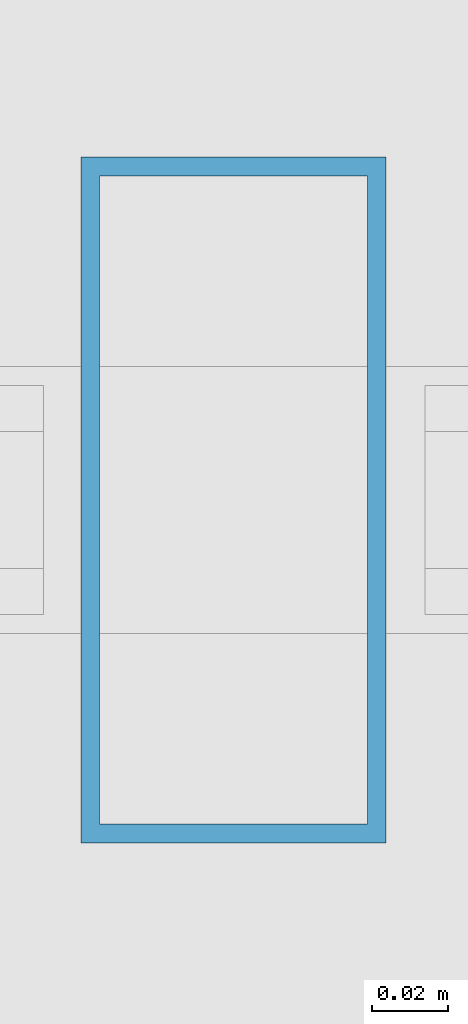
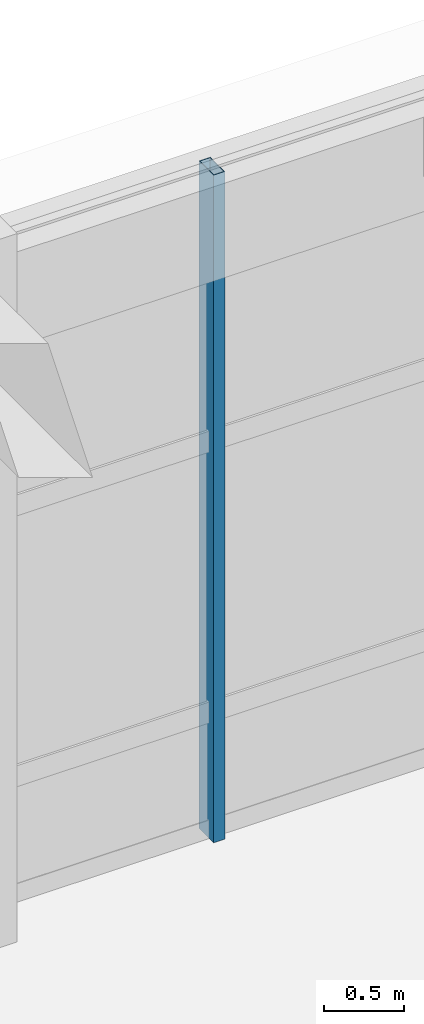
# One storey, part 91 of 160: 1 member, 1 element without a shape of its own.
"""IFC4 building model written with IfcOpenShell, lengths in metres."""

import ifcopenshell
import ifcopenshell.guid

model = None  # the IFC model being written
_history = None  # IfcOwnerHistory: only IFC2X3 demands one
_inside = {}  # id of a spatial element -> (the spatial element, [elements in it])
_under = {}  # id of a project, library or spatial element -> (it, [spatial elements below it])
_declared = {}  # id of a project -> (the project, [libraries it declares])
_typed = {}  # id of a type object -> (the type object, [elements of that type])
_made_of = {}  # id of a material, layer set ... -> (it, [elements and type objects made of it])


def new_model(schema):
    """Start an empty IFC model of exactly this schema.

    Asked for "IFC4X3", IfcOpenShell would pick the latest addendum, in which some entities
    have other attributes; the version numbers below select the first issue.
    IFC2X3 requires an IfcOwnerHistory on every rooted entity: one is made here for all.
    """
    global model, _history
    if schema == "IFC4X3":
        model = ifcopenshell.file(schema_version=(4, 3, 0, 0))
    else:
        model = ifcopenshell.file(schema=schema)
    _inside.clear()
    _under.clear()
    _declared.clear()
    _typed.clear()
    _made_of.clear()
    _history = None
    if model.schema == "IFC2X3":
        org = make("IfcOrganization", Name="unknown")
        user = make(
            "IfcPersonAndOrganization",
            ThePerson=make("IfcPerson", FamilyName="unknown"),
            TheOrganization=org,
        )
        app = make(
            "IfcApplication",
            ApplicationDeveloper=org,
            Version="unknown",
            ApplicationFullName="unknown",
            ApplicationIdentifier="unknown",
        )
        _history = make(
            "IfcOwnerHistory",
            OwningUser=user,
            OwningApplication=app,
            ChangeAction="ADDED",
            CreationDate=0,
        )
    return model


def make(cls, **values):
    """One entity of the class cls with the attributes given. An attribute that is None is left unset."""
    return model.create_entity(
        cls, **{name: value for name, value in values.items() if value is not None}
    )


def rooted(cls, **values):
    """An entity with a GlobalId (a new one), such as an element, a storey or a relation."""
    return make(cls, GlobalId=ifcopenshell.guid.new(), OwnerHistory=_history, **values)


def si_unit(unit_type, name, prefix=None):
    """IfcSIUnit, for example si_unit("LENGTHUNIT", "METRE", prefix="MILLI")."""
    return make("IfcSIUnit", UnitType=unit_type, Prefix=prefix, Name=name)


def assignment(units):
    """IfcUnitAssignment: the units of a project."""
    return None if units is None else make("IfcUnitAssignment", Units=units)


def point(xyz):
    """IfcCartesianPoint."""
    return None if xyz is None else make("IfcCartesianPoint", Coordinates=xyz)


def direction(xyz):
    """IfcDirection."""
    return None if xyz is None else make("IfcDirection", DirectionRatios=xyz)


def frame(location, z_axis=None, x_axis=None):
    """IfcAxis2Placement3D, a coordinate frame: its origin and axes. An axis left out is left unset."""
    return make(
        "IfcAxis2Placement3D",
        Location=point(location),
        Axis=direction(z_axis),
        RefDirection=direction(x_axis),
    )


def frame_2d(location, x_axis=None):
    """IfcAxis2Placement2D, a coordinate frame in the plane: its origin and x axis."""
    return make(
        "IfcAxis2Placement2D", Location=point(location), RefDirection=direction(x_axis)
    )


def origin():
    """The frame at (0, 0, 0) with its axes left unset."""
    return frame((0.0, 0.0, 0.0))


def origin_2d():
    """The frame at (0, 0) in the plane with its x axis left unset."""
    return frame_2d((0.0, 0.0))


def place(relative_to, where):
    """IfcLocalPlacement: puts the frame where relative to a parent placement (None: the world)."""
    return make(
        "IfcLocalPlacement", PlacementRelTo=relative_to, RelativePlacement=where
    )


def context(
    kind, dimensions, precision=None, world=None, true_north=None, identifier=None
):
    """IfcGeometricRepresentationContext, for example the 3D "Model" context."""
    return make(
        "IfcGeometricRepresentationContext",
        ContextIdentifier=identifier,
        ContextType=kind,
        CoordinateSpaceDimension=dimensions,
        Precision=precision,
        WorldCoordinateSystem=world,
        TrueNorth=true_north,
    )


def subcontext(parent, identifier, kind, view, scale=None):
    """IfcGeometricRepresentationSubContext, for example "Body" below "Model"."""
    return make(
        "IfcGeometricRepresentationSubContext",
        ContextIdentifier=identifier,
        ContextType=kind,
        ParentContext=parent,
        TargetScale=scale,
        TargetView=view,
    )


def project(units=None, contexts=None):
    """IfcProject with its units and contexts."""
    return rooted(
        "IfcProject",
        Name="project",
        RepresentationContexts=contexts,
        UnitsInContext=assignment(units),
    )


def spatial(cls, under=None, at=None, **own):
    """A site, building, storey or space (cls), placed at a placement, below another one or the project."""
    s = rooted(cls, ObjectPlacement=at, **own)
    if under is not None:
        _under.setdefault(under.id(), (under, []))[1].append(s)
    return s


def profile(cls, at=None, kind="AREA", **sizes):
    """A parametric profile (cls). Its sizes go by their IFC names, for example OverallWidth=200.0."""
    return make(cls, ProfileType=kind, Position=at, **sizes)


def hollow_rectangle(**sizes):
    """IfcRectangleHollowProfileDef."""
    return profile("IfcRectangleHollowProfileDef", **sizes)


def extrude(swept, where, along, depth):
    """IfcExtrudedAreaSolid: the profile swept, set in the frame where, extruded along a direction by depth."""
    return make(
        "IfcExtrudedAreaSolid",
        SweptArea=swept,
        Position=where,
        ExtrudedDirection=direction(along),
        Depth=depth,
    )


def shape(context_of_items, identifier, shape_type, items):
    """IfcShapeRepresentation: the items that make up one representation, for example the "Body"."""
    return make(
        "IfcShapeRepresentation",
        ContextOfItems=context_of_items,
        RepresentationIdentifier=identifier,
        RepresentationType=shape_type,
        Items=items,
    )


def material(Name=None, Category=None):
    """IfcMaterial."""
    return make("IfcMaterial", Name=Name, Category=Category)


def material_profile(
    of_material, cross_section, Name=None, Category=None, Priority=None
):
    """IfcMaterialProfile: a cross section and its material."""
    return make(
        "IfcMaterialProfile",
        Name=Name,
        Material=of_material,
        Profile=cross_section,
        Priority=Priority,
        Category=Category,
    )


def profile_set(profiles, Name=None, composite=None):
    """IfcMaterialProfileSet."""
    return make(
        "IfcMaterialProfileSet",
        Name=Name,
        MaterialProfiles=profiles,
        CompositeProfile=composite,
    )


def made_of(thing, what):
    """Note that an element or type object is made of a material, layer set ...; save() writes the relation."""
    if what is not None:
        _made_of.setdefault(what.id(), (what, []))[1].append(thing)
    return thing


def type_object(cls, material=None, **own):
    """A type object (cls), such as IfcWallType, which elements share."""
    return made_of(rooted(cls, **own), material)


def element(
    cls,
    number,
    at=None,
    inside=None,
    cuts=None,
    type_object=None,
    material=None,
    context=None,
    identifier="Body",
    shape_type=None,
    held_by="IfcProductDefinitionShape",
    body=None,
    shapes=None,
    **own,
):
    """One element of the class cls, such as IfcWall. Its Tag is "e" and its number.

    at: its placement. inside: the storey or other place that contains it. cuts: it is an
    opening in that element (IfcRelVoidsElement). A single representation is given by context,
    identifier, shape_type and body (its items); several are given by shapes. held_by: the class
    of the entity that holds the representations. save() writes the other relations.
    """
    e = rooted(cls, Tag="e%d" % number, ObjectPlacement=at, **own)
    if body is not None:
        shapes = [shape(context, identifier, shape_type, body)]
    if shapes is not None:
        e.Representation = make(held_by, Representations=shapes)
    if inside is not None:
        _inside.setdefault(inside.id(), (inside, []))[1].append(e)
    if cuts is not None:
        rooted(
            "IfcRelVoidsElement", RelatingBuildingElement=cuts, RelatedOpeningElement=e
        )
    if type_object is not None:
        _typed.setdefault(type_object.id(), (type_object, []))[1].append(e)
    return made_of(e, material)


def aggregate(whole, parts):
    """IfcRelAggregates: a whole, such as a stair, and the parts it consists of."""
    return rooted("IfcRelAggregates", RelatingObject=whole, RelatedObjects=parts)


def save(model, path):
    """Write the relations noted so far, then the file.

    IfcRelAggregates (storeys below a building ...), IfcRelContainedInSpatialStructure (elements
    in a storey), IfcRelDefinesByType, IfcRelAssociatesMaterial and IfcRelDeclares: one each for
    every whole, place, type object, material and project.
    """
    for whole, parts in _under.values():
        aggregate(whole, parts)
    for where, things in _inside.values():
        rooted(
            "IfcRelContainedInSpatialStructure",
            RelatedElements=things,
            RelatingStructure=where,
        )
    for kind, things in _typed.values():
        rooted("IfcRelDefinesByType", RelatedObjects=things, RelatingType=kind)
    for what, things in _made_of.values():
        rooted("IfcRelAssociatesMaterial", RelatedObjects=things, RelatingMaterial=what)
    for by, libraries in _declared.values():
        rooted("IfcRelDeclares", RelatingContext=by, RelatedDefinitions=libraries)
    model.write(path)


model = new_model("IFC4")

# Units and contexts
model_context = context("Model", 3, precision=1e-05, world=origin(), true_north=direction((0.0, 1.0)))
body_context = subcontext(model_context, "Body", "Model", "MODEL_VIEW")
ifc_project = project(units=[si_unit("LENGTHUNIT", "METRE"), si_unit("AREAUNIT", "SQUARE_METRE"), si_unit("VOLUMEUNIT", "CUBIC_METRE"), si_unit("PLANEANGLEUNIT", "RADIAN"), si_unit("MASSUNIT", "GRAM", prefix="KILO")], contexts=[model_context])

# Site, building, storey
site_placement = place(None, origin())
site = spatial("IfcSite", under=ifc_project, at=site_placement, CompositionType="ELEMENT")
building_placement = place(site_placement, origin())
building = spatial("IfcBuilding", under=site, at=building_placement, Name="Thalmaran Polytechnic", CompositionType="ELEMENT")
storey_placement = place(building_placement, origin())
storey = spatial("IfcBuildingStorey", under=building, at=storey_placement, Name="L00", CompositionType="ELEMENT", Elevation=0.0)

# Curtain wall, member
ifc_material = material(Name="Aluminium 6063-T6", Category="aluminium")
curtain_wall_type = type_object("IfcCurtainWallType", Name="CW-UC01", PredefinedType="USERDEFINED", material=ifc_material)
curtain_wall_placement = place(storey_placement, origin())
curtain_wall = element("IfcCurtainWall", 1, at=curtain_wall_placement, inside=storey, type_object=curtain_wall_type, Name="Curtain Wall CW-L00-010", ObjectType="UNITISED CURTAIN WALL", PredefinedType="USERDEFINED")
ifc_material_profile = material_profile(ifc_material, hollow_rectangle(XDim=0.080078125, YDim=0.179931640625, WallThickness=0.0048828125, at=origin_2d()), Name="RHS 180x80x5.0")
ifc_profile_set = profile_set([ifc_material_profile], Name="Aluminium 6063-T6")
member_type = type_object("IfcMemberType", Name="CW-MUL1", PredefinedType="MULLION", material=ifc_profile_set)
member_placement = place(storey_placement, frame((124.451171875, 122.39990234375, 0.0), z_axis=(0.0, 0.0, 1.0), x_axis=(1.0, 0.0, 0.0)))
member = element("IfcMember", 2, at=member_placement, type_object=member_type, Name="CW-L00-010 Mullion 2", PredefinedType="MULLION", context=body_context, shape_type="SweptSolid", body=[
    extrude(hollow_rectangle(XDim=0.080078125, YDim=0.179931640625, WallThickness=0.0048828125, at=origin_2d()), origin(), (0.0, 0.0, 1.0), 5.090087890625),
])
aggregate(curtain_wall, [member])

save(model, "model.ifc")
